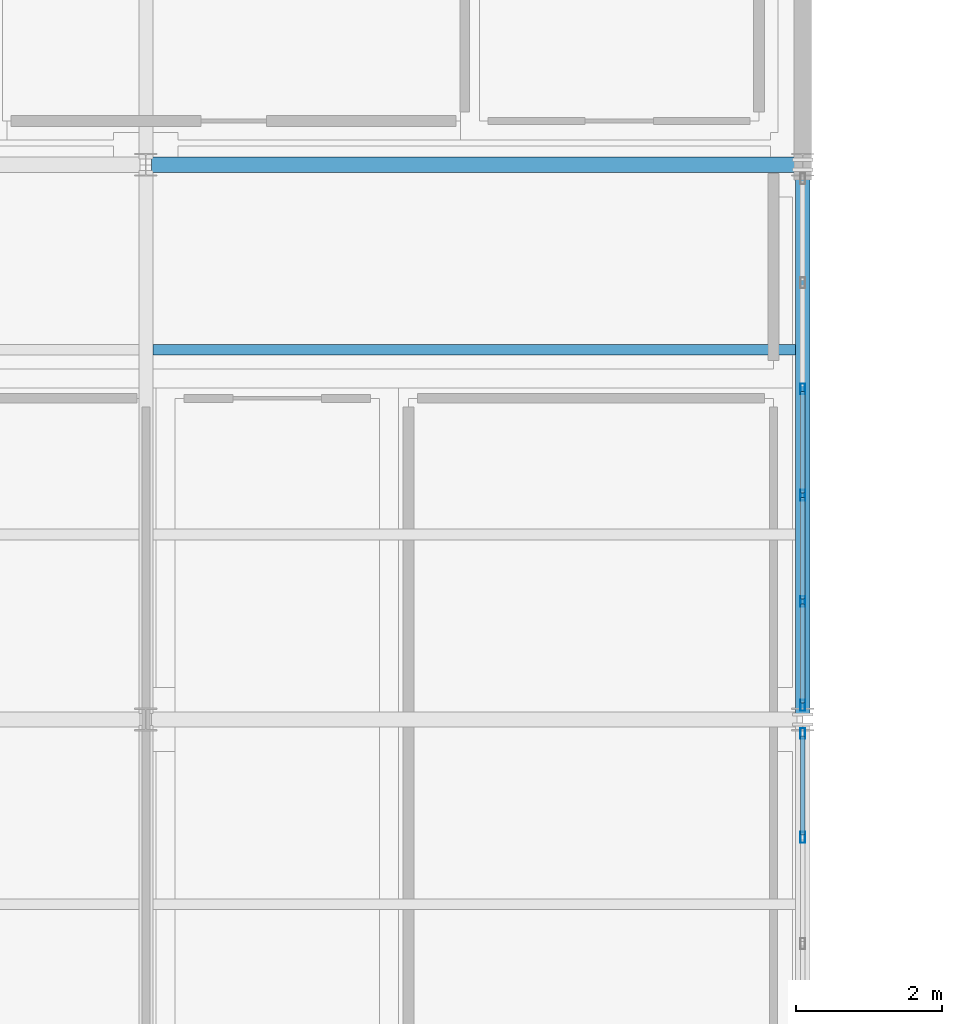
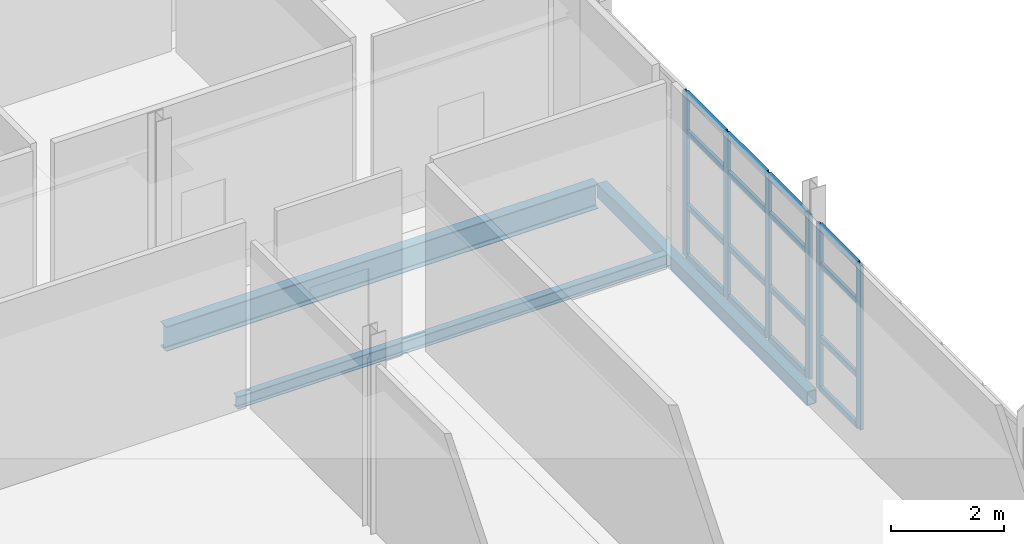
# One storey, part 120 of 166: 22 members, 3 beams, 2 elements without a shape of their own.
"""IFC4 building model written with IfcOpenShell, lengths in metres."""

from ifc_helpers import new_model, si_unit, direction, frame, origin, origin_2d, place, context, subcontext, project, spatial, hollow_rectangle, i_section, extrude, material, material_profile, profile_set, type_object, element, aggregate, save


model = new_model("IFC4")

# Units and contexts
model_context = context("Model", 3, precision=1e-05, world=origin(), true_north=direction((0.0, 1.0)))
body_context = subcontext(model_context, "Body", "Model", "MODEL_VIEW")
ifc_project = project(units=[si_unit("LENGTHUNIT", "METRE"), si_unit("AREAUNIT", "SQUARE_METRE"), si_unit("VOLUMEUNIT", "CUBIC_METRE"), si_unit("PLANEANGLEUNIT", "RADIAN"), si_unit("MASSUNIT", "GRAM", prefix="KILO")], contexts=[model_context])

# Site, building, storey
site_placement = place(None, origin())
site = spatial("IfcSite", under=ifc_project, at=site_placement, CompositionType="ELEMENT")
building_placement = place(site_placement, origin())
building = spatial("IfcBuilding", under=site, at=building_placement, Name="Caisbarro Railhouse Central Library", CompositionType="ELEMENT")
storey_placement = place(building_placement, frame((0.0, 0.0, 9.360107421875)))
storey = spatial("IfcBuildingStorey", under=building, at=storey_placement, Name="L02", CompositionType="ELEMENT", Elevation=9.360107421875)

# Beams
ifc_material_1 = material(Name="Steel ASTM A572 Grade 50", Category="steel")
ifc_material_profile_1 = material_profile(ifc_material_1, i_section(OverallWidth=0.208984375, OverallDepth=0.532958984375, WebThickness=0.01025390625, FlangeThickness=0.015625, FilletRadius=0.02001953125, at=origin_2d()), Name="W530X92.0")
ifc_profile_set_1 = profile_set([ifc_material_profile_1], Name="Steel ASTM A572 Grade 50")
beam_type_1 = type_object("IfcBeamType", Name="BM-G06", PredefinedType="BEAM", material=ifc_profile_set_1)
beam_1_placement = place(storey_placement, frame((144.080078125, 106.39990234375, -0.486572265625), z_axis=(1.0, 0.0, 0.0), x_axis=(0.0, 1.0, 0.0)))
element("IfcBeam", 1, at=beam_1_placement, inside=storey, type_object=beam_type_1, Name="G06 beam L02 #1501", PredefinedType="BEAM", context=body_context, shape_type="SweptSolid", body=[
    extrude(i_section(OverallWidth=0.208984375, OverallDepth=0.532958984375, WebThickness=0.01025390625, FlangeThickness=0.015625, FilletRadius=0.02001953125, at=origin_2d()), origin(), (0.0, 0.0, 1.0), 8.83984375),
])
ifc_material_profile_2 = material_profile(ifc_material_1, i_section(OverallWidth=0.14794921875, OverallDepth=0.26611328125, WebThickness=0.007568359375, FlangeThickness=0.012939453125, FilletRadius=0.010009765625, at=origin_2d()), Name="W250X44.8")
ifc_profile_set_2 = profile_set([ifc_material_profile_2], Name="Steel ASTM A572 Grade 50")
beam_type_2 = type_object("IfcBeamType", Name="BM-J04", PredefinedType="JOIST", material=ifc_profile_set_2)
beam_2_placement = place(storey_placement, frame((144.094970703125, 103.86669921875, -0.35302734375), z_axis=(1.0, 0.0, 0.0), x_axis=(0.0, 1.0, 0.0)))
element("IfcBeam", 2, at=beam_2_placement, inside=storey, type_object=beam_type_2, Name="J04 beam L02 #1580", PredefinedType="JOIST", context=body_context, shape_type="SweptSolid", body=[
    extrude(i_section(OverallWidth=0.14794921875, OverallDepth=0.26611328125, WebThickness=0.007568359375, FlangeThickness=0.012939453125, FilletRadius=0.010009765625, at=origin_2d()), origin(), (0.0, 0.0, 1.0), 8.804931640625),
])
ifc_material_profile_3 = material_profile(ifc_material_1, hollow_rectangle(XDim=0.199951171875, YDim=0.300048828125, WallThickness=0.012451171875, at=origin_2d()), Name="HSS300X200X12.5")
ifc_profile_set_3 = profile_set([ifc_material_profile_3], Name="Steel ASTM A572 Grade 50")
beam_type_3 = type_object("IfcBeamType", Name="BM-SP02", PredefinedType="SPANDREL", material=ifc_profile_set_3)
beam_3_placement = place(storey_placement, frame((153.0, 98.8798828125, -0.3701171875), z_axis=(0.0, 1.0, 0.0), x_axis=(-1.0, 0.0, 0.0)))
element("IfcBeam", 3, at=beam_3_placement, inside=storey, type_object=beam_type_3, Name="SP02 beam L02 #1537", PredefinedType="SPANDREL", context=body_context, shape_type="SweptSolid", body=[
    extrude(hollow_rectangle(XDim=0.199951171875, YDim=0.300048828125, WallThickness=0.012451171875, at=origin_2d()), origin(), (0.0, 0.0, 1.0), 7.440185546875),
])

# Curtain wall, members
ifc_material_2 = material(Name="Anodised architectural aluminium", Category="aluminium")
curtain_wall_type = type_object("IfcCurtainWallType", Name="CW-CW03", PredefinedType="NOTDEFINED", material=ifc_material_2)
curtain_wall_1_placement = place(storey_placement, origin())
curtain_wall_1 = element("IfcCurtainWall", 4, at=curtain_wall_1_placement, inside=storey, type_object=curtain_wall_type, Name="CW03 curtain wall L02 #140", PredefinedType="NOTDEFINED")
ifc_material_profile_4 = material_profile(ifc_material_2, hollow_rectangle(XDim=0.06494140625, YDim=0.14990234375, WallThickness=0.00390625, at=origin_2d()), Name="ALU-MUL-65X150")
ifc_profile_set_4 = profile_set([ifc_material_profile_4], Name="Anodised architectural aluminium")
member_type_1 = type_object("IfcMemberType", Name="CWM-M02", PredefinedType="MULLION", material=ifc_profile_set_4)
member_1_placement = place(storey_placement, frame((153.0, 97.18408203125, 0.0), z_axis=(0.0, 0.0, 1.0), x_axis=(-1.0, 0.0, 0.0)))
member_1 = element("IfcMember", 5, at=member_1_placement, type_object=member_type_1, Name="CW03 mullion 5", PredefinedType="MULLION", context=body_context, shape_type="SweptSolid", body=[
    extrude(hollow_rectangle(XDim=0.06494140625, YDim=0.14990234375, WallThickness=0.00390625, at=origin_2d()), origin(), (0.0, 0.0, 1.0), 3.559814453125),
])
member_2_placement = place(storey_placement, frame((153.0, 98.607421875, 0.0), z_axis=(0.0, 0.0, 1.0), x_axis=(-1.0, 0.0, 0.0)))
member_2 = element("IfcMember", 6, at=member_2_placement, type_object=member_type_1, Name="CW03 mullion 6", PredefinedType="MULLION", context=body_context, shape_type="SweptSolid", body=[
    extrude(hollow_rectangle(XDim=0.06494140625, YDim=0.14990234375, WallThickness=0.00390625, at=origin_2d()), origin(), (0.0, 0.0, 1.0), 3.559814453125),
])

curtain_wall_2_placement = place(storey_placement, origin())
curtain_wall_2 = element("IfcCurtainWall", 7, at=curtain_wall_2_placement, inside=storey, type_object=curtain_wall_type, Name="CW03 curtain wall L02 #141", PredefinedType="NOTDEFINED")
member_3_placement = place(storey_placement, frame((153.0, 98.992431640625, 0.0), z_axis=(0.0, 0.0, 1.0), x_axis=(-1.0, 0.0, 0.0)))
member_3 = element("IfcMember", 8, at=member_3_placement, type_object=member_type_1, Name="CW03 mullion 1", PredefinedType="MULLION", context=body_context, shape_type="SweptSolid", body=[
    extrude(hollow_rectangle(XDim=0.06494140625, YDim=0.14990234375, WallThickness=0.00390625, at=origin_2d()), origin(), (0.0, 0.0, 1.0), 3.559814453125),
])
member_4_placement = place(storey_placement, frame((153.0, 100.416015625, 0.0), z_axis=(0.0, 0.0, 1.0), x_axis=(-1.0, 0.0, 0.0)))
member_4 = element("IfcMember", 9, at=member_4_placement, type_object=member_type_1, Name="CW03 mullion 2", PredefinedType="MULLION", context=body_context, shape_type="SweptSolid", body=[
    extrude(hollow_rectangle(XDim=0.06494140625, YDim=0.14990234375, WallThickness=0.00390625, at=origin_2d()), origin(), (0.0, 0.0, 1.0), 3.559814453125),
])
member_5_placement = place(storey_placement, frame((153.0, 101.8720703125, 0.0), z_axis=(0.0, 0.0, 1.0), x_axis=(-1.0, 0.0, 0.0)))
member_5 = element("IfcMember", 10, at=member_5_placement, type_object=member_type_1, Name="CW03 mullion 3", PredefinedType="MULLION", context=body_context, shape_type="SweptSolid", body=[
    extrude(hollow_rectangle(XDim=0.06494140625, YDim=0.14990234375, WallThickness=0.00390625, at=origin_2d()), origin(), (0.0, 0.0, 1.0), 3.559814453125),
])
member_6_placement = place(storey_placement, frame((153.0, 103.327880859375, 0.0), z_axis=(0.0, 0.0, 1.0), x_axis=(-1.0, 0.0, 0.0)))
member_6 = element("IfcMember", 11, at=member_6_placement, type_object=member_type_1, Name="CW03 mullion 4", PredefinedType="MULLION", context=body_context, shape_type="SweptSolid", body=[
    extrude(hollow_rectangle(XDim=0.06494140625, YDim=0.14990234375, WallThickness=0.00390625, at=origin_2d()), origin(), (0.0, 0.0, 1.0), 3.559814453125),
])

# Member
ifc_material_profile_5 = material_profile(ifc_material_2, hollow_rectangle(XDim=0.06494140625, YDim=0.1201171875, WallThickness=0.00341796875, at=origin_2d()), Name="ALU-TRN-65X120")
ifc_profile_set_5 = profile_set([ifc_material_profile_5], Name="Anodised architectural aluminium")
member_type_2 = type_object("IfcMemberType", Name="CWT-T02", PredefinedType="USERDEFINED", material=ifc_profile_set_5)
member_7_placement = place(storey_placement, frame((153.0, 97.216552734375, 0.032470703125), z_axis=(0.0, 1.0, 0.0), x_axis=(-1.0, 0.0, 0.0)))
member_7 = element("IfcMember", 12, at=member_7_placement, type_object=member_type_2, Name="CW03 transom 5.1", ObjectType="TRANSOM", PredefinedType="USERDEFINED", context=body_context, shape_type="SweptSolid", body=[
    extrude(hollow_rectangle(XDim=0.06494140625, YDim=0.1201171875, WallThickness=0.00341796875, at=origin_2d()), origin(), (0.0, 0.0, 1.0), 1.3583984375),
])

member_8_placement = place(storey_placement, frame((153.0, 97.216552734375, 1.119873046875), z_axis=(0.0, 1.0, 0.0), x_axis=(-1.0, 0.0, 0.0)))
member_8 = element("IfcMember", 13, at=member_8_placement, type_object=member_type_2, Name="CW03 transom 5.2", ObjectType="TRANSOM", PredefinedType="USERDEFINED", context=body_context, shape_type="SweptSolid", body=[
    extrude(hollow_rectangle(XDim=0.06494140625, YDim=0.1201171875, WallThickness=0.00341796875, at=origin_2d()), origin(), (0.0, 0.0, 1.0), 1.3583984375),
])

member_9_placement = place(storey_placement, frame((153.0, 97.216552734375, 2.7099609375), z_axis=(0.0, 1.0, 0.0), x_axis=(-1.0, 0.0, 0.0)))
member_9 = element("IfcMember", 14, at=member_9_placement, type_object=member_type_2, Name="CW03 transom 5.3", ObjectType="TRANSOM", PredefinedType="USERDEFINED", context=body_context, shape_type="SweptSolid", body=[
    extrude(hollow_rectangle(XDim=0.06494140625, YDim=0.1201171875, WallThickness=0.00341796875, at=origin_2d()), origin(), (0.0, 0.0, 1.0), 1.3583984375),
])

member_10_placement = place(storey_placement, frame((153.0, 97.216552734375, 3.52734375), z_axis=(0.0, 1.0, 0.0), x_axis=(-1.0, 0.0, 0.0)))
member_10 = element("IfcMember", 15, at=member_10_placement, type_object=member_type_2, Name="CW03 transom 5.4", ObjectType="TRANSOM", PredefinedType="USERDEFINED", context=body_context, shape_type="SweptSolid", body=[
    extrude(hollow_rectangle(XDim=0.06494140625, YDim=0.1201171875, WallThickness=0.00341796875, at=origin_2d()), origin(), (0.0, 0.0, 1.0), 1.3583984375),
])

aggregate(curtain_wall_1, [member_1, member_2, member_7, member_8, member_9, member_10])

member_11_placement = place(storey_placement, frame((153.0, 99.02490234375, 0.032470703125), z_axis=(0.0, 1.0, 0.0), x_axis=(-1.0, 0.0, 0.0)))
member_11 = element("IfcMember", 16, at=member_11_placement, type_object=member_type_2, Name="CW03 transom 1.1", ObjectType="TRANSOM", PredefinedType="USERDEFINED", context=body_context, shape_type="SweptSolid", body=[
    extrude(hollow_rectangle(XDim=0.06494140625, YDim=0.1201171875, WallThickness=0.00341796875, at=origin_2d()), origin(), (0.0, 0.0, 1.0), 1.358642578125),
])

member_12_placement = place(storey_placement, frame((153.0, 99.02490234375, 1.119873046875), z_axis=(0.0, 1.0, 0.0), x_axis=(-1.0, 0.0, 0.0)))
member_12 = element("IfcMember", 17, at=member_12_placement, type_object=member_type_2, Name="CW03 transom 1.2", ObjectType="TRANSOM", PredefinedType="USERDEFINED", context=body_context, shape_type="SweptSolid", body=[
    extrude(hollow_rectangle(XDim=0.06494140625, YDim=0.1201171875, WallThickness=0.00341796875, at=origin_2d()), origin(), (0.0, 0.0, 1.0), 1.358642578125),
])

member_13_placement = place(storey_placement, frame((153.0, 99.02490234375, 2.7099609375), z_axis=(0.0, 1.0, 0.0), x_axis=(-1.0, 0.0, 0.0)))
member_13 = element("IfcMember", 18, at=member_13_placement, type_object=member_type_2, Name="CW03 transom 1.3", ObjectType="TRANSOM", PredefinedType="USERDEFINED", context=body_context, shape_type="SweptSolid", body=[
    extrude(hollow_rectangle(XDim=0.06494140625, YDim=0.1201171875, WallThickness=0.00341796875, at=origin_2d()), origin(), (0.0, 0.0, 1.0), 1.358642578125),
])

member_14_placement = place(storey_placement, frame((153.0, 99.02490234375, 3.52734375), z_axis=(0.0, 1.0, 0.0), x_axis=(-1.0, 0.0, 0.0)))
member_14 = element("IfcMember", 19, at=member_14_placement, type_object=member_type_2, Name="CW03 transom 1.4", ObjectType="TRANSOM", PredefinedType="USERDEFINED", context=body_context, shape_type="SweptSolid", body=[
    extrude(hollow_rectangle(XDim=0.06494140625, YDim=0.1201171875, WallThickness=0.00341796875, at=origin_2d()), origin(), (0.0, 0.0, 1.0), 1.358642578125),
])

member_15_placement = place(storey_placement, frame((153.0, 100.448486328125, 0.032470703125), z_axis=(0.0, 1.0, 0.0), x_axis=(-1.0, 0.0, 0.0)))
member_15 = element("IfcMember", 20, at=member_15_placement, type_object=member_type_2, Name="CW03 transom 2.1", ObjectType="TRANSOM", PredefinedType="USERDEFINED", context=body_context, shape_type="SweptSolid", body=[
    extrude(hollow_rectangle(XDim=0.06494140625, YDim=0.1201171875, WallThickness=0.00341796875, at=origin_2d()), origin(), (0.0, 0.0, 1.0), 1.39111328125),
])

member_16_placement = place(storey_placement, frame((153.0, 100.448486328125, 1.119873046875), z_axis=(0.0, 1.0, 0.0), x_axis=(-1.0, 0.0, 0.0)))
member_16 = element("IfcMember", 21, at=member_16_placement, type_object=member_type_2, Name="CW03 transom 2.2", ObjectType="TRANSOM", PredefinedType="USERDEFINED", context=body_context, shape_type="SweptSolid", body=[
    extrude(hollow_rectangle(XDim=0.06494140625, YDim=0.1201171875, WallThickness=0.00341796875, at=origin_2d()), origin(), (0.0, 0.0, 1.0), 1.39111328125),
])

member_17_placement = place(storey_placement, frame((153.0, 100.448486328125, 2.7099609375), z_axis=(0.0, 1.0, 0.0), x_axis=(-1.0, 0.0, 0.0)))
member_17 = element("IfcMember", 22, at=member_17_placement, type_object=member_type_2, Name="CW03 transom 2.3", ObjectType="TRANSOM", PredefinedType="USERDEFINED", context=body_context, shape_type="SweptSolid", body=[
    extrude(hollow_rectangle(XDim=0.06494140625, YDim=0.1201171875, WallThickness=0.00341796875, at=origin_2d()), origin(), (0.0, 0.0, 1.0), 1.39111328125),
])

member_18_placement = place(storey_placement, frame((153.0, 100.448486328125, 3.52734375), z_axis=(0.0, 1.0, 0.0), x_axis=(-1.0, 0.0, 0.0)))
member_18 = element("IfcMember", 23, at=member_18_placement, type_object=member_type_2, Name="CW03 transom 2.4", ObjectType="TRANSOM", PredefinedType="USERDEFINED", context=body_context, shape_type="SweptSolid", body=[
    extrude(hollow_rectangle(XDim=0.06494140625, YDim=0.1201171875, WallThickness=0.00341796875, at=origin_2d()), origin(), (0.0, 0.0, 1.0), 1.39111328125),
])

member_19_placement = place(storey_placement, frame((153.0, 101.904541015625, 0.032470703125), z_axis=(0.0, 1.0, 0.0), x_axis=(-1.0, 0.0, 0.0)))
member_19 = element("IfcMember", 24, at=member_19_placement, type_object=member_type_2, Name="CW03 transom 3.1", ObjectType="TRANSOM", PredefinedType="USERDEFINED", context=body_context, shape_type="SweptSolid", body=[
    extrude(hollow_rectangle(XDim=0.06494140625, YDim=0.1201171875, WallThickness=0.00341796875, at=origin_2d()), origin(), (0.0, 0.0, 1.0), 1.390869140625),
])

member_20_placement = place(storey_placement, frame((153.0, 101.904541015625, 1.119873046875), z_axis=(0.0, 1.0, 0.0), x_axis=(-1.0, 0.0, 0.0)))
member_20 = element("IfcMember", 25, at=member_20_placement, type_object=member_type_2, Name="CW03 transom 3.2", ObjectType="TRANSOM", PredefinedType="USERDEFINED", context=body_context, shape_type="SweptSolid", body=[
    extrude(hollow_rectangle(XDim=0.06494140625, YDim=0.1201171875, WallThickness=0.00341796875, at=origin_2d()), origin(), (0.0, 0.0, 1.0), 1.390869140625),
])

member_21_placement = place(storey_placement, frame((153.0, 101.904541015625, 2.7099609375), z_axis=(0.0, 1.0, 0.0), x_axis=(-1.0, 0.0, 0.0)))
member_21 = element("IfcMember", 26, at=member_21_placement, type_object=member_type_2, Name="CW03 transom 3.3", ObjectType="TRANSOM", PredefinedType="USERDEFINED", context=body_context, shape_type="SweptSolid", body=[
    extrude(hollow_rectangle(XDim=0.06494140625, YDim=0.1201171875, WallThickness=0.00341796875, at=origin_2d()), origin(), (0.0, 0.0, 1.0), 1.390869140625),
])

member_22_placement = place(storey_placement, frame((153.0, 101.904541015625, 3.52734375), z_axis=(0.0, 1.0, 0.0), x_axis=(-1.0, 0.0, 0.0)))
member_22 = element("IfcMember", 27, at=member_22_placement, type_object=member_type_2, Name="CW03 transom 3.4", ObjectType="TRANSOM", PredefinedType="USERDEFINED", context=body_context, shape_type="SweptSolid", body=[
    extrude(hollow_rectangle(XDim=0.06494140625, YDim=0.1201171875, WallThickness=0.00341796875, at=origin_2d()), origin(), (0.0, 0.0, 1.0), 1.390869140625),
])

aggregate(curtain_wall_2, [member_3, member_4, member_5, member_6, member_11, member_12, member_13, member_14, member_15, member_16, member_17, member_18, member_19, member_20, member_21, member_22])

save(model, "model.ifc")
